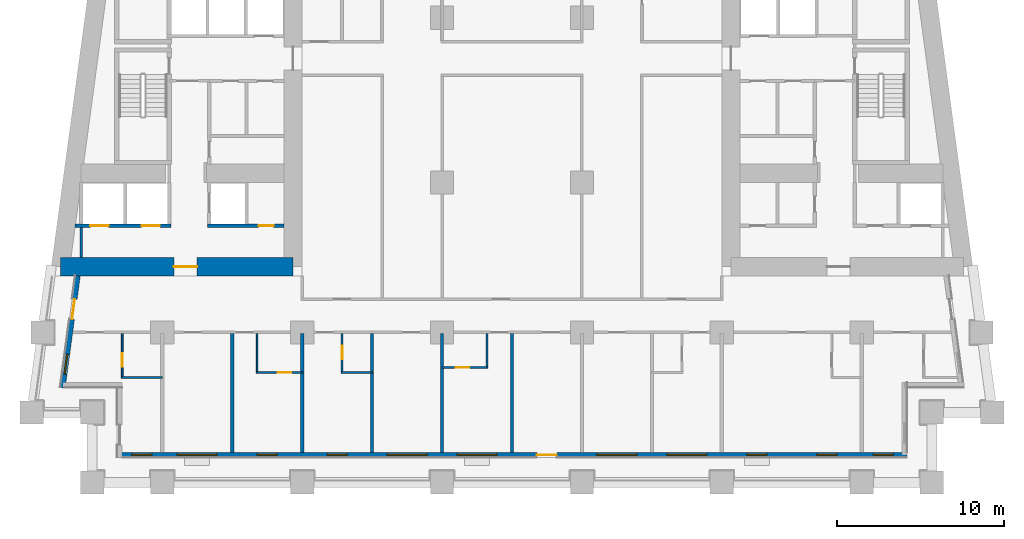
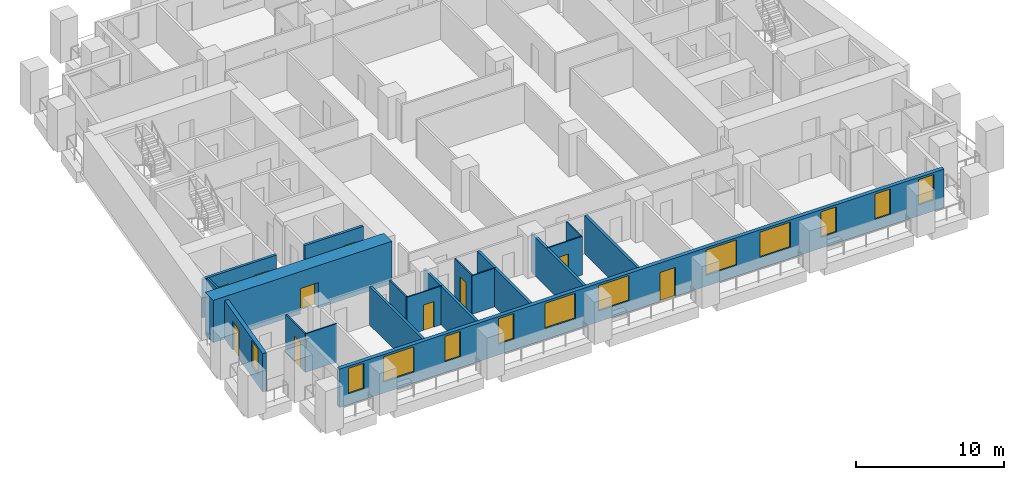
# One storey, part 2 of 12: 19 walls, 12 windows, 10 doors, 22 openings.
"""IFC4 building model written with IfcOpenShell, lengths in metres."""

from ifc_helpers import new_model, si_unit, direction, frame, frame_2d, origin, place, context, subcontext, project, spatial, rectangle, extrude, material, layer, layer_set, type_object, element, fill, save


model = new_model("IFC4")

# Units and contexts
model_context = context("Model", 3, precision=1e-05, world=origin(), true_north=direction((0.0, 1.0)))
body_context = subcontext(model_context, "Body", "Model", "MODEL_VIEW")
ifc_project = project(units=[si_unit("LENGTHUNIT", "METRE"), si_unit("AREAUNIT", "SQUARE_METRE"), si_unit("VOLUMEUNIT", "CUBIC_METRE"), si_unit("PLANEANGLEUNIT", "RADIAN"), si_unit("MASSUNIT", "GRAM", prefix="KILO")], contexts=[model_context])

# Site, building, storey
site_placement = place(None, origin())
site = spatial("IfcSite", under=ifc_project, at=site_placement, CompositionType="ELEMENT")
building_placement = place(site_placement, origin())
building = spatial("IfcBuilding", under=site, at=building_placement, Name="Candeia Pilgrim Tower and Theatre", CompositionType="ELEMENT")
storey_placement = place(building_placement, frame((0.0, 0.0, 53.0)))
storey = spatial("IfcBuildingStorey", under=building, at=storey_placement, Name="L10", CompositionType="ELEMENT", Elevation=53.0)

# Wall, opening, door
ifc_material_1 = material(Name="Concrete C80/95", Category="concrete")
ifc_layer_1 = layer(ifc_material_1, 1.10009765625)
ifc_layer_set_1 = layer_set([ifc_layer_1], Name="Core wall 1100 C80/95")
wall_type_1 = type_object("IfcWallType", Name="Core wall 1100 C80/95", PredefinedType="SHEAR", material=ifc_layer_set_1)
wall_1_placement = place(storey_placement, frame((100.25, 110.949951171875, 0.0), z_axis=(0.0, 0.0, 1.0), x_axis=(-1.0, 0.0, 0.0)))
wall_1 = element("IfcWall", 1, at=wall_1_placement, inside=storey, type_object=wall_type_1, Name="Core wall W3", PredefinedType="SHEAR", context=body_context, shape_type="SweptSolid", body=[
    extrude(rectangle(XDim=13.95166015625, YDim=1.10009765625, at=frame_2d((6.975830078125, 0.0))), origin(), (0.0, 0.0, 1.0), 3.5),
])
opening_1_placement = place(wall_1_placement, frame((5.74755859375, 0.0, 0.0)))
opening_1 = element("IfcOpeningElement", 2, at=opening_1_placement, cuts=wall_1, Name="Opening L10-D052", PredefinedType="OPENING", context=body_context, shape_type="SweptSolid", body=[
    extrude(rectangle(XDim=1.39990234375, YDim=2.10009765625, at=frame_2d((0.699951171875, 1.050048828125))), frame((0.0, 0.56005859375, 0.0), z_axis=(0.0, -1.0, 0.0), x_axis=(1.0, 0.0, 0.0)), (0.0, 0.0, 1.0), 1.1201171875),
])
ifc_material_2 = material(Name="Steel fire door set", Category="steel")
door_type_1 = type_object("IfcDoorType", Name="D-1400-FD60", OperationType="NOTDEFINED", PredefinedType="DOOR", material=ifc_material_2)
door_1_placement = place(opening_1_placement, origin())
door_1 = element("IfcDoor", 3, at=door_1_placement, inside=storey, type_object=door_type_1, Name="Door L10-D052", OperationType="SINGLE_SWING_RIGHT", OverallHeight=2.10009765625, OverallWidth=1.39990234375, PredefinedType="DOOR", context=body_context, shape_type="SweptSolid", body=[
    extrude(rectangle(XDim=1.39990234375, YDim=2.10009765625, at=frame_2d((0.699951171875, 1.050048828125))), frame((0.0, 0.02490234375, 0.0), z_axis=(0.0, -1.0, 0.0), x_axis=(1.0, 0.0, 0.0)), (0.0, 0.0, 1.0), 0.050048828125),
])
fill(opening_1, door_1)

# Wall, openings, door, windows
ifc_material_3 = material(Name="Ceramic block masonry", Category="masonry")
ifc_layer_2 = layer(ifc_material_3, 0.300048828125)
ifc_layer_set_2 = layer_set([ifc_layer_2], Name="EW1 glazing-line wall 300")
wall_type_2 = type_object("IfcWallType", Name="EW1 glazing-line wall 300", PredefinedType="SOLIDWALL", material=ifc_layer_set_2)
wall_2_placement = place(storey_placement, frame((89.85009765625, 99.64990234375, 0.0), z_axis=(0.0, 0.0, 1.0), x_axis=(1.0, 0.0, 0.0)))
wall_2 = element("IfcWall", 4, at=wall_2_placement, inside=storey, type_object=wall_type_2, Name="External wall L10-0.0", PredefinedType="SOLIDWALL", context=body_context, shape_type="SweptSolid", body=[
    extrude(rectangle(XDim=47.25, YDim=0.300048828125, at=frame_2d((23.625, 0.0))), origin(), (0.0, 0.0, 1.0), 3.179931640625),
])
opening_2_placement = place(wall_2_placement, frame((0.72509765625, 0.0, 0.89990234375)))
opening_2 = element("IfcOpeningElement", 5, at=opening_2_placement, cuts=wall_2, Name="Opening W-B", PredefinedType="OPENING", context=body_context, shape_type="SweptSolid", body=[
    extrude(rectangle(XDim=1.199951171875, YDim=2.10009765625, at=frame_2d((0.60009765625, 1.050048828125))), frame((0.0, 0.16015625, 0.0), z_axis=(0.0, -1.0, 0.0), x_axis=(1.0, 0.0, 0.0)), (0.0, 0.0, 1.0), 0.320068359375),
])
opening_3_placement = place(wall_2_placement, frame((3.449951171875, 0.0, 0.89990234375)))
opening_3 = element("IfcOpeningElement", 6, at=opening_3_placement, cuts=wall_2, Name="Opening W-A", PredefinedType="OPENING", context=body_context, shape_type="SweptSolid", body=[
    extrude(rectangle(XDim=2.39990234375, YDim=2.10009765625, at=frame_2d((1.199951171875, 1.050048828125))), frame((0.0, 0.16015625, 0.0), z_axis=(0.0, -1.0, 0.0), x_axis=(1.0, 0.0, 0.0)), (0.0, 0.0, 1.0), 0.320068359375),
])
opening_4_placement = place(wall_2_placement, frame((8.25, 0.0, 0.89990234375)))
opening_4 = element("IfcOpeningElement", 7, at=opening_4_placement, cuts=wall_2, Name="Opening W-B", PredefinedType="OPENING", context=body_context, shape_type="SweptSolid", body=[
    extrude(rectangle(XDim=1.199951171875, YDim=2.10009765625, at=frame_2d((0.60009765625, 1.050048828125))), frame((0.0, 0.16015625, 0.0), z_axis=(0.0, -1.0, 0.0), x_axis=(1.0, 0.0, 0.0)), (0.0, 0.0, 1.0), 0.320068359375),
])
opening_5_placement = place(wall_2_placement, frame((12.449951171875, 0.0, 0.89990234375)))
opening_5 = element("IfcOpeningElement", 8, at=opening_5_placement, cuts=wall_2, Name="Opening W-B", PredefinedType="OPENING", context=body_context, shape_type="SweptSolid", body=[
    extrude(rectangle(XDim=1.199951171875, YDim=2.10009765625, at=frame_2d((0.60009765625, 1.050048828125))), frame((0.0, 0.16015625, 0.0), z_axis=(0.0, -1.0, 0.0), x_axis=(1.0, 0.0, 0.0)), (0.0, 0.0, 1.0), 0.320068359375),
])
opening_6_placement = place(wall_2_placement, frame((16.050048828125, 0.0, 0.89990234375)))
opening_6 = element("IfcOpeningElement", 9, at=opening_6_placement, cuts=wall_2, Name="Opening W-A", PredefinedType="OPENING", context=body_context, shape_type="SweptSolid", body=[
    extrude(rectangle(XDim=2.39990234375, YDim=2.10009765625, at=frame_2d((1.199951171875, 1.050048828125))), frame((0.0, 0.16015625, 0.0), z_axis=(0.0, -1.0, 0.0), x_axis=(1.0, 0.0, 0.0)), (0.0, 0.0, 1.0), 0.320068359375),
])
opening_7_placement = place(wall_2_placement, frame((20.25, 0.0, 0.89990234375)))
opening_7 = element("IfcOpeningElement", 10, at=opening_7_placement, cuts=wall_2, Name="Opening W-A", PredefinedType="OPENING", context=body_context, shape_type="SweptSolid", body=[
    extrude(rectangle(XDim=2.39990234375, YDim=2.10009765625, at=frame_2d((1.199951171875, 1.050048828125))), frame((0.0, 0.16015625, 0.0), z_axis=(0.0, -1.0, 0.0), x_axis=(1.0, 0.0, 0.0)), (0.0, 0.0, 1.0), 0.320068359375),
])
opening_8_placement = place(wall_2_placement, frame((25.050048828125, 0.0, 0.0)))
opening_8 = element("IfcOpeningElement", 11, at=opening_8_placement, cuts=wall_2, Name="Opening L10-ED120", PredefinedType="OPENING", context=body_context, shape_type="SweptSolid", body=[
    extrude(rectangle(XDim=1.199951171875, YDim=2.39990234375, at=frame_2d((0.60009765625, 1.199951171875))), frame((0.0, 0.16015625, 0.0), z_axis=(0.0, -1.0, 0.0), x_axis=(1.0, 0.0, 0.0)), (0.0, 0.0, 1.0), 0.320068359375),
])
opening_9_placement = place(wall_2_placement, frame((28.64990234375, 0.0, 0.89990234375)))
opening_9 = element("IfcOpeningElement", 12, at=opening_9_placement, cuts=wall_2, Name="Opening W-A", PredefinedType="OPENING", context=body_context, shape_type="SweptSolid", body=[
    extrude(rectangle(XDim=2.39990234375, YDim=2.10009765625, at=frame_2d((1.199951171875, 1.050048828125))), frame((0.0, 0.16015625, 0.0), z_axis=(0.0, -1.0, 0.0), x_axis=(1.0, 0.0, 0.0)), (0.0, 0.0, 1.0), 0.320068359375),
])
opening_10_placement = place(wall_2_placement, frame((32.85009765625, 0.0, 0.89990234375)))
opening_10 = element("IfcOpeningElement", 13, at=opening_10_placement, cuts=wall_2, Name="Opening W-A", PredefinedType="OPENING", context=body_context, shape_type="SweptSolid", body=[
    extrude(rectangle(XDim=2.39990234375, YDim=2.10009765625, at=frame_2d((1.199951171875, 1.050048828125))), frame((0.0, 0.16015625, 0.0), z_axis=(0.0, -1.0, 0.0), x_axis=(1.0, 0.0, 0.0)), (0.0, 0.0, 1.0), 0.320068359375),
])
opening_11_placement = place(wall_2_placement, frame((37.64990234375, 0.0, 0.89990234375)))
opening_11 = element("IfcOpeningElement", 14, at=opening_11_placement, cuts=wall_2, Name="Opening W-B", PredefinedType="OPENING", context=body_context, shape_type="SweptSolid", body=[
    extrude(rectangle(XDim=1.199951171875, YDim=2.10009765625, at=frame_2d((0.60009765625, 1.050048828125))), frame((0.0, 0.16015625, 0.0), z_axis=(0.0, -1.0, 0.0), x_axis=(1.0, 0.0, 0.0)), (0.0, 0.0, 1.0), 0.320068359375),
])
opening_12_placement = place(wall_2_placement, frame((41.85009765625, 0.0, 0.89990234375)))
opening_12 = element("IfcOpeningElement", 15, at=opening_12_placement, cuts=wall_2, Name="Opening W-B", PredefinedType="OPENING", context=body_context, shape_type="SweptSolid", body=[
    extrude(rectangle(XDim=1.199951171875, YDim=2.10009765625, at=frame_2d((0.60009765625, 1.050048828125))), frame((0.0, 0.16015625, 0.0), z_axis=(0.0, -1.0, 0.0), x_axis=(1.0, 0.0, 0.0)), (0.0, 0.0, 1.0), 0.320068359375),
])
opening_13_placement = place(wall_2_placement, frame((45.25, 0.0, 0.89990234375)))
opening_13 = element("IfcOpeningElement", 16, at=opening_13_placement, cuts=wall_2, Name="Opening W-B", PredefinedType="OPENING", context=body_context, shape_type="SweptSolid", body=[
    extrude(rectangle(XDim=1.199951171875, YDim=2.10009765625, at=frame_2d((0.60009765625, 1.050048828125))), frame((0.0, 0.16015625, 0.0), z_axis=(0.0, -1.0, 0.0), x_axis=(1.0, 0.0, 0.0)), (0.0, 0.0, 1.0), 0.320068359375),
])
ifc_material_4 = material(Name="Aluminium framed glazed door", Category="aluminium")
door_type_2 = type_object("IfcDoorType", Name="Loggia door 1200x2400", OperationType="DOUBLE_DOOR_SINGLE_SWING", PredefinedType="DOOR", material=ifc_material_4)
door_2_placement = place(opening_8_placement, origin())
door_2 = element("IfcDoor", 17, at=door_2_placement, inside=storey, type_object=door_type_2, Name="Loggia door L10-ED120", OperationType="DOUBLE_DOOR_SINGLE_SWING", OverallHeight=2.39990234375, OverallWidth=1.199951171875, PredefinedType="DOOR", context=body_context, shape_type="SweptSolid", body=[
    extrude(rectangle(XDim=1.199951171875, YDim=2.39990234375, at=frame_2d((0.60009765625, 1.199951171875))), frame((0.0, 0.02490234375, 0.0), z_axis=(0.0, -1.0, 0.0), x_axis=(1.0, 0.0, 0.0)), (0.0, 0.0, 1.0), 0.050048828125),
])
fill(opening_8, door_2)
ifc_material_5 = material(Name="Aluminium framed double glazing", Category="aluminium")
window_type_1 = type_object("IfcWindowType", Name="W-A window 2400x2100", PartitioningType="DOUBLE_PANEL_VERTICAL", PredefinedType="WINDOW", material=ifc_material_5)
window_1_placement = place(opening_3_placement, origin())
window_1 = element("IfcWindow", 18, at=window_1_placement, inside=storey, type_object=window_type_1, Name="Window W-A L10", OverallHeight=2.10009765625, OverallWidth=2.39990234375, PartitioningType="SINGLE_PANEL", PredefinedType="WINDOW", context=body_context, shape_type="SweptSolid", body=[
    extrude(rectangle(XDim=2.39990234375, YDim=2.10009765625, at=frame_2d((1.199951171875, 1.050048828125))), frame((0.0, 0.030029296875, 0.0), z_axis=(0.0, -1.0, 0.0), x_axis=(1.0, 0.0, 0.0)), (0.0, 0.0, 1.0), 0.06005859375),
])
fill(opening_3, window_1)
window_2_placement = place(opening_6_placement, origin())
window_2 = element("IfcWindow", 19, at=window_2_placement, inside=storey, type_object=window_type_1, Name="Window W-A L10", OverallHeight=2.10009765625, OverallWidth=2.39990234375, PartitioningType="SINGLE_PANEL", PredefinedType="WINDOW", context=body_context, shape_type="SweptSolid", body=[
    extrude(rectangle(XDim=2.39990234375, YDim=2.10009765625, at=frame_2d((1.199951171875, 1.050048828125))), frame((0.0, 0.030029296875, 0.0), z_axis=(0.0, -1.0, 0.0), x_axis=(1.0, 0.0, 0.0)), (0.0, 0.0, 1.0), 0.06005859375),
])
fill(opening_6, window_2)
window_3_placement = place(opening_7_placement, origin())
window_3 = element("IfcWindow", 20, at=window_3_placement, inside=storey, type_object=window_type_1, Name="Window W-A L10", OverallHeight=2.10009765625, OverallWidth=2.39990234375, PartitioningType="SINGLE_PANEL", PredefinedType="WINDOW", context=body_context, shape_type="SweptSolid", body=[
    extrude(rectangle(XDim=2.39990234375, YDim=2.10009765625, at=frame_2d((1.199951171875, 1.050048828125))), frame((0.0, 0.030029296875, 0.0), z_axis=(0.0, -1.0, 0.0), x_axis=(1.0, 0.0, 0.0)), (0.0, 0.0, 1.0), 0.06005859375),
])
fill(opening_7, window_3)
window_4_placement = place(opening_9_placement, origin())
window_4 = element("IfcWindow", 21, at=window_4_placement, inside=storey, type_object=window_type_1, Name="Window W-A L10", OverallHeight=2.10009765625, OverallWidth=2.39990234375, PartitioningType="SINGLE_PANEL", PredefinedType="WINDOW", context=body_context, shape_type="SweptSolid", body=[
    extrude(rectangle(XDim=2.39990234375, YDim=2.10009765625, at=frame_2d((1.199951171875, 1.050048828125))), frame((0.0, 0.030029296875, 0.0), z_axis=(0.0, -1.0, 0.0), x_axis=(1.0, 0.0, 0.0)), (0.0, 0.0, 1.0), 0.06005859375),
])
fill(opening_9, window_4)
window_5_placement = place(opening_10_placement, origin())
window_5 = element("IfcWindow", 22, at=window_5_placement, inside=storey, type_object=window_type_1, Name="Window W-A L10", OverallHeight=2.10009765625, OverallWidth=2.39990234375, PartitioningType="SINGLE_PANEL", PredefinedType="WINDOW", context=body_context, shape_type="SweptSolid", body=[
    extrude(rectangle(XDim=2.39990234375, YDim=2.10009765625, at=frame_2d((1.199951171875, 1.050048828125))), frame((0.0, 0.030029296875, 0.0), z_axis=(0.0, -1.0, 0.0), x_axis=(1.0, 0.0, 0.0)), (0.0, 0.0, 1.0), 0.06005859375),
])
fill(opening_10, window_5)
window_type_2 = type_object("IfcWindowType", Name="W-B window 1200x2100", PartitioningType="SINGLE_PANEL", PredefinedType="WINDOW", material=ifc_material_5)
window_6_placement = place(opening_2_placement, origin())
window_6 = element("IfcWindow", 23, at=window_6_placement, inside=storey, type_object=window_type_2, Name="Window W-B L10", OverallHeight=2.10009765625, OverallWidth=1.199951171875, PartitioningType="SINGLE_PANEL", PredefinedType="WINDOW", context=body_context, shape_type="SweptSolid", body=[
    extrude(rectangle(XDim=1.199951171875, YDim=2.10009765625, at=frame_2d((0.60009765625, 1.050048828125))), frame((0.0, 0.030029296875, 0.0), z_axis=(0.0, -1.0, 0.0), x_axis=(1.0, 0.0, 0.0)), (0.0, 0.0, 1.0), 0.06005859375),
])
fill(opening_2, window_6)
window_7_placement = place(opening_4_placement, origin())
window_7 = element("IfcWindow", 24, at=window_7_placement, inside=storey, type_object=window_type_2, Name="Window W-B L10", OverallHeight=2.10009765625, OverallWidth=1.199951171875, PartitioningType="SINGLE_PANEL", PredefinedType="WINDOW", context=body_context, shape_type="SweptSolid", body=[
    extrude(rectangle(XDim=1.199951171875, YDim=2.10009765625, at=frame_2d((0.60009765625, 1.050048828125))), frame((0.0, 0.030029296875, 0.0), z_axis=(0.0, -1.0, 0.0), x_axis=(1.0, 0.0, 0.0)), (0.0, 0.0, 1.0), 0.06005859375),
])
fill(opening_4, window_7)
window_8_placement = place(opening_5_placement, origin())
window_8 = element("IfcWindow", 25, at=window_8_placement, inside=storey, type_object=window_type_2, Name="Window W-B L10", OverallHeight=2.10009765625, OverallWidth=1.199951171875, PartitioningType="SINGLE_PANEL", PredefinedType="WINDOW", context=body_context, shape_type="SweptSolid", body=[
    extrude(rectangle(XDim=1.199951171875, YDim=2.10009765625, at=frame_2d((0.60009765625, 1.050048828125))), frame((0.0, 0.030029296875, 0.0), z_axis=(0.0, -1.0, 0.0), x_axis=(1.0, 0.0, 0.0)), (0.0, 0.0, 1.0), 0.06005859375),
])
fill(opening_5, window_8)
window_9_placement = place(opening_11_placement, origin())
window_9 = element("IfcWindow", 26, at=window_9_placement, inside=storey, type_object=window_type_2, Name="Window W-B L10", OverallHeight=2.10009765625, OverallWidth=1.199951171875, PartitioningType="SINGLE_PANEL", PredefinedType="WINDOW", context=body_context, shape_type="SweptSolid", body=[
    extrude(rectangle(XDim=1.199951171875, YDim=2.10009765625, at=frame_2d((0.60009765625, 1.050048828125))), frame((0.0, 0.030029296875, 0.0), z_axis=(0.0, -1.0, 0.0), x_axis=(1.0, 0.0, 0.0)), (0.0, 0.0, 1.0), 0.06005859375),
])
fill(opening_11, window_9)
window_10_placement = place(opening_12_placement, origin())
window_10 = element("IfcWindow", 27, at=window_10_placement, inside=storey, type_object=window_type_2, Name="Window W-B L10", OverallHeight=2.10009765625, OverallWidth=1.199951171875, PartitioningType="SINGLE_PANEL", PredefinedType="WINDOW", context=body_context, shape_type="SweptSolid", body=[
    extrude(rectangle(XDim=1.199951171875, YDim=2.10009765625, at=frame_2d((0.60009765625, 1.050048828125))), frame((0.0, 0.030029296875, 0.0), z_axis=(0.0, -1.0, 0.0), x_axis=(1.0, 0.0, 0.0)), (0.0, 0.0, 1.0), 0.06005859375),
])
fill(opening_12, window_10)
window_11_placement = place(opening_13_placement, origin())
window_11 = element("IfcWindow", 28, at=window_11_placement, inside=storey, type_object=window_type_2, Name="Window W-B L10", OverallHeight=2.10009765625, OverallWidth=1.199951171875, PartitioningType="SINGLE_PANEL", PredefinedType="WINDOW", context=body_context, shape_type="SweptSolid", body=[
    extrude(rectangle(XDim=1.199951171875, YDim=2.10009765625, at=frame_2d((0.60009765625, 1.050048828125))), frame((0.0, 0.030029296875, 0.0), z_axis=(0.0, -1.0, 0.0), x_axis=(1.0, 0.0, 0.0)), (0.0, 0.0, 1.0), 0.06005859375),
])
fill(opening_13, window_11)

# Wall, openings, door, window
wall_3_placement = place(storey_placement, frame((87.334228515625, 110.39990234375, 0.0), z_axis=(0.0, 0.0, 1.0), x_axis=(-0.133437175554, -0.991057273915, 0.0)))
wall_3 = element("IfcWall", 29, at=wall_3_placement, inside=storey, type_object=wall_type_2, Name="External wall L10-9.1", PredefinedType="SOLIDWALL", context=body_context, shape_type="SweptSolid", body=[
    extrude(rectangle(XDim=6.780517578125, YDim=0.300048828125, at=frame_2d((3.39013671875, 0.0))), origin(), (0.0, 0.0, 1.0), 3.179931640625),
])
opening_14_placement = place(wall_3_placement, frame((1.41796875, 0.0, 0.0)))
opening_14 = element("IfcOpeningElement", 30, at=opening_14_placement, cuts=wall_3, Name="Opening L10-ED127", PredefinedType="OPENING", context=body_context, shape_type="SweptSolid", body=[
    extrude(rectangle(XDim=1.199951171875, YDim=2.39990234375, at=frame_2d((0.60009765625, 1.199951171875))), frame((0.0, 0.16015625, 0.0), z_axis=(0.0, -1.0, 0.0), x_axis=(1.0, 0.0, 0.0)), (0.0, 0.0, 1.0), 0.320068359375),
])
opening_15_placement = place(wall_3_placement, frame((4.75830078125, 0.0, 0.89990234375)))
opening_15 = element("IfcOpeningElement", 31, at=opening_15_placement, cuts=wall_3, Name="Opening W-B", PredefinedType="OPENING", context=body_context, shape_type="SweptSolid", body=[
    extrude(rectangle(XDim=1.199951171875, YDim=2.10009765625, at=frame_2d((0.60009765625, 1.050048828125))), frame((0.0, 0.16015625, 0.0), z_axis=(0.0, -1.0, 0.0), x_axis=(1.0, 0.0, 0.0)), (0.0, 0.0, 1.0), 0.320068359375),
])
door_3_placement = place(opening_14_placement, origin())
door_3 = element("IfcDoor", 32, at=door_3_placement, inside=storey, type_object=door_type_2, Name="Loggia door L10-ED127", OperationType="DOUBLE_DOOR_SINGLE_SWING", OverallHeight=2.39990234375, OverallWidth=1.199951171875, PredefinedType="DOOR", context=body_context, shape_type="SweptSolid", body=[
    extrude(rectangle(XDim=1.199951171875, YDim=2.39990234375, at=frame_2d((0.60009765625, 1.199951171875))), frame((0.0, 0.02490234375, 0.0), z_axis=(0.0, -1.0, 0.0), x_axis=(1.0, 0.0, 0.0)), (0.0, 0.0, 1.0), 0.050048828125),
])
fill(opening_14, door_3)
window_12_placement = place(opening_15_placement, origin())
window_12 = element("IfcWindow", 33, at=window_12_placement, inside=storey, type_object=window_type_2, Name="Window W-B L10", OverallHeight=2.10009765625, OverallWidth=1.199951171875, PartitioningType="SINGLE_PANEL", PredefinedType="WINDOW", context=body_context, shape_type="SweptSolid", body=[
    extrude(rectangle(XDim=1.199951171875, YDim=2.10009765625, at=frame_2d((0.60009765625, 1.050048828125))), frame((0.0, 0.030029296875, 0.0), z_axis=(0.0, -1.0, 0.0), x_axis=(1.0, 0.0, 0.0)), (0.0, 0.0, 1.0), 0.06005859375),
])
fill(opening_15, window_12)

# Wall
ifc_material_6 = material(Name="Gypsum board partition on steel studs", Category="steel")
ifc_layer_3 = layer(ifc_material_6, 0.10009765625)
ifc_layer_set_3 = layer_set([ifc_layer_3], Name="PW-100 room partition")
wall_type_3 = type_object("IfcWallType", Name="PW-100 room partition", PredefinedType="PARTITIONING", material=ifc_layer_set_3)
wall_4_placement = place(storey_placement, frame((89.949951171875, 104.300048828125, 0.0), z_axis=(0.0, 0.0, 1.0), x_axis=(1.0, 0.0, 0.0)))
element("IfcWall", 34, at=wall_4_placement, inside=storey, type_object=wall_type_3, Name="Room partition L10-001", PredefinedType="PARTITIONING", context=body_context, shape_type="SweptSolid", body=[
    extrude(rectangle(XDim=2.449951171875, YDim=0.10009765625, at=frame_2d((1.22509765625, 0.0))), origin(), (0.0, 0.0, 1.0), 3.179931640625),
])

# Wall, opening, door
wall_5_placement = place(storey_placement, frame((98.050048828125, 104.60009765625, 0.0), z_axis=(0.0, 0.0, 1.0), x_axis=(1.0, 0.0, 0.0)))
wall_5 = element("IfcWall", 35, at=wall_5_placement, inside=storey, type_object=wall_type_3, Name="Room partition L10-004", PredefinedType="PARTITIONING", context=body_context, shape_type="SweptSolid", body=[
    extrude(rectangle(XDim=2.75, YDim=0.10009765625, at=frame_2d((1.375, 0.0))), origin(), (0.0, 0.0, 1.0), 3.179931640625),
])
opening_16_placement = place(wall_5_placement, frame((1.300048828125, 0.0, 0.0)))
opening_16 = element("IfcOpeningElement", 36, at=opening_16_placement, cuts=wall_5, Name="Opening L10-D021", PredefinedType="OPENING", context=body_context, shape_type="SweptSolid", body=[
    extrude(rectangle(XDim=0.800048828125, YDim=2.10009765625, at=frame_2d((0.39990234375, 1.050048828125))), frame((0.0, 0.06005859375, 0.0), z_axis=(0.0, -1.0, 0.0), x_axis=(1.0, 0.0, 0.0)), (0.0, 0.0, 1.0), 0.1201171875),
])
ifc_material_7 = material(Name="Timber door leaf", Category="wood")
door_type_3 = type_object("IfcDoorType", Name="D-800", OperationType="NOTDEFINED", PredefinedType="DOOR", material=ifc_material_7)
door_4_placement = place(opening_16_placement, origin())
door_4 = element("IfcDoor", 37, at=door_4_placement, inside=storey, type_object=door_type_3, Name="Door L10-D021", OperationType="SINGLE_SWING_LEFT", OverallHeight=2.10009765625, OverallWidth=0.800048828125, PredefinedType="DOOR", context=body_context, shape_type="SweptSolid", body=[
    extrude(rectangle(XDim=0.800048828125, YDim=2.10009765625, at=frame_2d((0.39990234375, 1.050048828125))), frame((0.0, 0.02490234375, 0.0), z_axis=(0.0, -1.0, 0.0), x_axis=(1.0, 0.0, 0.0)), (0.0, 0.0, 1.0), 0.050048828125),
])
fill(opening_16, door_4)

# Wall
wall_6_placement = place(storey_placement, frame((103.14990234375, 104.60009765625, 0.0), z_axis=(0.0, 0.0, 1.0), x_axis=(1.0, 0.0, 0.0)))
element("IfcWall", 38, at=wall_6_placement, inside=storey, type_object=wall_type_3, Name="Room partition L10-005", PredefinedType="PARTITIONING", context=body_context, shape_type="SweptSolid", body=[
    extrude(rectangle(XDim=1.85009765625, YDim=0.10009765625, at=frame_2d((0.925048828125, 0.0))), origin(), (0.0, 0.0, 1.0), 3.179931640625),
])

# Wall, opening, door
wall_7_placement = place(storey_placement, frame((109.199951171875, 104.89990234375, 0.0), z_axis=(0.0, 0.0, 1.0), x_axis=(1.0, 0.0, 0.0)))
wall_7 = element("IfcWall", 39, at=wall_7_placement, inside=storey, type_object=wall_type_3, Name="Room partition L10-007", PredefinedType="PARTITIONING", context=body_context, shape_type="SweptSolid", body=[
    extrude(rectangle(XDim=2.75, YDim=0.10009765625, at=frame_2d((1.375, 0.0))), origin(), (0.0, 0.0, 1.0), 3.179931640625),
])
opening_17_placement = place(wall_7_placement, frame((0.830078125, 0.0, 0.0)))
opening_17 = element("IfcOpeningElement", 40, at=opening_17_placement, cuts=wall_7, Name="Opening L10-D026", PredefinedType="OPENING", context=body_context, shape_type="SweptSolid", body=[
    extrude(rectangle(XDim=0.800048828125, YDim=2.10009765625, at=frame_2d((0.39990234375, 1.050048828125))), frame((0.0, 0.06005859375, 0.0), z_axis=(0.0, -1.0, 0.0), x_axis=(1.0, 0.0, 0.0)), (0.0, 0.0, 1.0), 0.1201171875),
])
door_5_placement = place(opening_17_placement, origin())
door_5 = element("IfcDoor", 41, at=door_5_placement, inside=storey, type_object=door_type_3, Name="Door L10-D026", OperationType="SINGLE_SWING_RIGHT", OverallHeight=2.10009765625, OverallWidth=0.800048828125, PredefinedType="DOOR", context=body_context, shape_type="SweptSolid", body=[
    extrude(rectangle(XDim=0.800048828125, YDim=2.10009765625, at=frame_2d((0.39990234375, 1.050048828125))), frame((0.0, 0.02490234375, 0.0), z_axis=(0.0, -1.0, 0.0), x_axis=(1.0, 0.0, 0.0)), (0.0, 0.0, 1.0), 0.050048828125),
])
fill(opening_17, door_5)

wall_8_placement = place(storey_placement, frame((90.0, 104.35009765625, 0.0), z_axis=(0.0, 0.0, 1.0), x_axis=(0.0, 1.0, 0.0)))
wall_8 = element("IfcWall", 42, at=wall_8_placement, inside=storey, type_object=wall_type_3, Name="Room partition L10-050", PredefinedType="PARTITIONING", context=body_context, shape_type="SweptSolid", body=[
    extrude(rectangle(XDim=2.574951171875, YDim=0.10009765625, at=frame_2d((1.28759765625, 0.0))), origin(), (0.0, 0.0, 1.0), 3.179931640625),
])
opening_18_placement = place(wall_8_placement, frame((0.60009765625, 0.0, 0.0)))
opening_18 = element("IfcOpeningElement", 43, at=opening_18_placement, cuts=wall_8, Name="Opening L10-D018", PredefinedType="OPENING", context=body_context, shape_type="SweptSolid", body=[
    extrude(rectangle(XDim=0.800048828125, YDim=2.10009765625, at=frame_2d((0.39990234375, 1.050048828125))), frame((0.0, 0.06005859375, 0.0), z_axis=(0.0, -1.0, 0.0), x_axis=(1.0, 0.0, 0.0)), (0.0, 0.0, 1.0), 0.1201171875),
])
door_6_placement = place(opening_18_placement, origin())
door_6 = element("IfcDoor", 44, at=door_6_placement, inside=storey, type_object=door_type_3, Name="Door L10-D018", OperationType="SINGLE_SWING_RIGHT", OverallHeight=2.10009765625, OverallWidth=0.800048828125, PredefinedType="DOOR", context=body_context, shape_type="SweptSolid", body=[
    extrude(rectangle(XDim=0.800048828125, YDim=2.10009765625, at=frame_2d((0.39990234375, 1.050048828125))), frame((0.0, 0.02490234375, 0.0), z_axis=(0.0, -1.0, 0.0), x_axis=(1.0, 0.0, 0.0)), (0.0, 0.0, 1.0), 0.050048828125),
])
fill(opening_18, door_6)

# Wall
wall_9_placement = place(storey_placement, frame((98.10009765625, 104.64990234375, 0.0), z_axis=(0.0, 0.0, 1.0), x_axis=(0.0, 1.0, 0.0)))
element("IfcWall", 45, at=wall_9_placement, inside=storey, type_object=wall_type_3, Name="Room partition L10-068", PredefinedType="PARTITIONING", context=body_context, shape_type="SweptSolid", body=[
    extrude(rectangle(XDim=2.275146484375, YDim=0.10009765625, at=frame_2d((1.1376953125, 0.0))), origin(), (0.0, 0.0, 1.0), 3.179931640625),
])

# Wall, opening, door
wall_10_placement = place(storey_placement, frame((103.199951171875, 104.64990234375, 0.0), z_axis=(0.0, 0.0, 1.0), x_axis=(0.0, 1.0, 0.0)))
wall_10 = element("IfcWall", 46, at=wall_10_placement, inside=storey, type_object=wall_type_3, Name="Room partition L10-073", PredefinedType="PARTITIONING", context=body_context, shape_type="SweptSolid", body=[
    extrude(rectangle(XDim=2.275146484375, YDim=0.10009765625, at=frame_2d((1.1376953125, 0.0))), origin(), (0.0, 0.0, 1.0), 3.179931640625),
])
opening_19_placement = place(wall_10_placement, frame((0.75, 0.0, 0.0)))
opening_19 = element("IfcOpeningElement", 47, at=opening_19_placement, cuts=wall_10, Name="Opening L10-D023", PredefinedType="OPENING", context=body_context, shape_type="SweptSolid", body=[
    extrude(rectangle(XDim=0.800048828125, YDim=2.10009765625, at=frame_2d((0.39990234375, 1.050048828125))), frame((0.0, 0.06005859375, 0.0), z_axis=(0.0, -1.0, 0.0), x_axis=(1.0, 0.0, 0.0)), (0.0, 0.0, 1.0), 0.1201171875),
])
door_7_placement = place(opening_19_placement, origin())
door_7 = element("IfcDoor", 48, at=door_7_placement, inside=storey, type_object=door_type_3, Name="Door L10-D023", OperationType="SINGLE_SWING_LEFT", OverallHeight=2.10009765625, OverallWidth=0.800048828125, PredefinedType="DOOR", context=body_context, shape_type="SweptSolid", body=[
    extrude(rectangle(XDim=0.800048828125, YDim=2.10009765625, at=frame_2d((0.39990234375, 1.050048828125))), frame((0.0, 0.02490234375, 0.0), z_axis=(0.0, -1.0, 0.0), x_axis=(1.0, 0.0, 0.0)), (0.0, 0.0, 1.0), 0.050048828125),
])
fill(opening_19, door_7)

# Walls
wall_11_placement = place(storey_placement, frame((111.89990234375, 104.949951171875, 0.0), z_axis=(0.0, 0.0, 1.0), x_axis=(0.0, 1.0, 0.0)))
element("IfcWall", 49, at=wall_11_placement, inside=storey, type_object=wall_type_3, Name="Room partition L10-083", PredefinedType="PARTITIONING", context=body_context, shape_type="SweptSolid", body=[
    extrude(rectangle(XDim=1.97509765625, YDim=0.10009765625, at=frame_2d((0.987548828125, 0.0))), origin(), (0.0, 0.0, 1.0), 3.179931640625),
])
ifc_layer_4 = layer(ifc_material_6, 0.14990234375)
ifc_layer_set_4 = layer_set([ifc_layer_4], Name="PW-150 lobby wall")
wall_type_4 = type_object("IfcWallType", Name="PW-150 lobby wall", PredefinedType="PARTITIONING", material=ifc_layer_set_4)
wall_12_placement = place(storey_placement, frame((87.530029296875, 111.5, 0.0), z_axis=(0.0, 0.0, 1.0), x_axis=(0.0, 1.0, 0.0)))
element("IfcWall", 50, at=wall_12_placement, inside=storey, type_object=wall_type_4, Name="Lobby wall L10-047", PredefinedType="PARTITIONING", context=body_context, shape_type="SweptSolid", body=[
    extrude(rectangle(XDim=1.800048828125, YDim=0.14990234375, at=frame_2d((0.89990234375, 0.0))), origin(), (0.0, 0.0, 1.0), 3.179931640625),
])
ifc_layer_5 = layer(ifc_material_6, 0.199951171875)
ifc_layer_set_5 = layer_set([ifc_layer_5], Name="PW-200 party wall")
wall_type_5 = type_object("IfcWallType", Name="PW-200 party wall", PredefinedType="PARTITIONING", material=ifc_layer_set_5)
for number, where, z_axis, x_axis, name in (
    (51, (96.60009765625, 99.7900390625, 0.0), (0.0, 0.0, 1.0), (0.0, 1.0, 0.0), "Party wall L10-063"),
    (52, (100.800048828125, 99.7900390625, 0.0), (0.0, 0.0, 1.0), (0.0, 1.0, 0.0), "Party wall L10-069"),
    (53, (105.0, 99.7900390625, 0.0), (0.0, 0.0, 1.0), (0.0, 1.0, 0.0), "Party wall L10-075"),
    (54, (109.199951171875, 99.7900390625, 0.0), (0.0, 0.0, 1.0), (0.0, 1.0, 0.0), "Party wall L10-079"),
    (55, (113.39990234375, 99.7900390625, 0.0), (0.0, 0.0, 1.0), (0.0, 1.0, 0.0), "Party wall L10-085"),
):
    element("IfcWall", number, at=place(storey_placement, frame(where, z_axis=z_axis, x_axis=x_axis)), inside=storey, type_object=wall_type_5, Name=name, PredefinedType="PARTITIONING", context=body_context, shape_type="SweptSolid", body=[
        extrude(rectangle(XDim=7.135009765625, YDim=0.199951171875, at=frame_2d((3.5673828125, 0.0))), origin(), (0.0, 0.0, 1.0), 3.179931640625),
    ])

# Wall, openings, doors
ifc_material_8 = material(Name="Concrete C40/50", Category="concrete")
ifc_layer_6 = layer(ifc_material_8, 0.199951171875)
ifc_layer_set_6 = layer_set([ifc_layer_6], Name="SW-200 shaft wall")
wall_type_6 = type_object("IfcWallType", Name="SW-200 shaft wall", PredefinedType="PARTITIONING", material=ifc_layer_set_6)
wall_13_placement = place(storey_placement, frame((87.153076171875, 113.39990234375, 0.0), z_axis=(0.0, 0.0, 1.0), x_axis=(1.0, 0.0, 0.0)))
wall_13 = element("IfcWall", 56, at=wall_13_placement, inside=storey, type_object=wall_type_6, Name="Shaft wall L10-010", PredefinedType="PARTITIONING", context=body_context, shape_type="SweptSolid", body=[
    extrude(rectangle(XDim=5.77392578125, YDim=0.199951171875, at=frame_2d((2.886962890625, 0.0))), origin(), (0.0, 0.0, 1.0), 3.179931640625),
])
opening_20_placement = place(wall_13_placement, frame((0.93896484375, 0.0, 0.0)))
opening_20 = element("IfcOpeningElement", 57, at=opening_20_placement, cuts=wall_13, Name="Opening L10-LD03", PredefinedType="OPENING", context=body_context, shape_type="SweptSolid", body=[
    extrude(rectangle(XDim=1.10009765625, YDim=2.10009765625, at=frame_2d((0.550048828125, 1.050048828125))), frame((0.0, 0.10986328125, 0.0), z_axis=(0.0, -1.0, 0.0), x_axis=(1.0, 0.0, 0.0)), (0.0, 0.0, 1.0), 0.219970703125),
])
opening_21_placement = place(wall_13_placement, frame((4.011962890625, 0.0, 0.0)))
opening_21 = element("IfcOpeningElement", 58, at=opening_21_placement, cuts=wall_13, Name="Opening L10-LD04", PredefinedType="OPENING", context=body_context, shape_type="SweptSolid", body=[
    extrude(rectangle(XDim=1.10009765625, YDim=2.10009765625, at=frame_2d((0.550048828125, 1.050048828125))), frame((0.0, 0.10986328125, 0.0), z_axis=(0.0, -1.0, 0.0), x_axis=(1.0, 0.0, 0.0)), (0.0, 0.0, 1.0), 0.219970703125),
])
ifc_material_9 = material(Name="Glazed aluminium landing door", Category="aluminium")
door_type_4 = type_object("IfcDoorType", Name="LD-1100-EI120", OperationType="SLIDING_TO_LEFT", PredefinedType="DOOR", material=ifc_material_9)
door_8_placement = place(opening_20_placement, origin())
door_8 = element("IfcDoor", 59, at=door_8_placement, inside=storey, type_object=door_type_4, Name="Landing door 03 L10", OperationType="SLIDING_TO_LEFT", OverallHeight=2.10009765625, OverallWidth=1.10009765625, PredefinedType="DOOR", context=body_context, shape_type="SweptSolid", body=[
    extrude(rectangle(XDim=1.10009765625, YDim=2.10009765625, at=frame_2d((0.550048828125, 1.050048828125))), frame((0.0, 0.02490234375, 0.0), z_axis=(0.0, -1.0, 0.0), x_axis=(1.0, 0.0, 0.0)), (0.0, 0.0, 1.0), 0.050048828125),
])
fill(opening_20, door_8)
door_9_placement = place(opening_21_placement, origin())
door_9 = element("IfcDoor", 60, at=door_9_placement, inside=storey, type_object=door_type_4, Name="Landing door 04 L10", OperationType="SLIDING_TO_LEFT", OverallHeight=2.10009765625, OverallWidth=1.10009765625, PredefinedType="DOOR", context=body_context, shape_type="SweptSolid", body=[
    extrude(rectangle(XDim=1.10009765625, YDim=2.10009765625, at=frame_2d((0.550048828125, 1.050048828125))), frame((0.0, 0.02490234375, 0.0), z_axis=(0.0, -1.0, 0.0), x_axis=(1.0, 0.0, 0.0)), (0.0, 0.0, 1.0), 0.050048828125),
])
fill(opening_21, door_9)

# Wall, opening, door
wall_14_placement = place(storey_placement, frame((95.126953125, 113.39990234375, 0.0), z_axis=(0.0, 0.0, 1.0), x_axis=(1.0, 0.0, 0.0)))
wall_14 = element("IfcWall", 61, at=wall_14_placement, inside=storey, type_object=wall_type_6, Name="Shaft wall L10-011", PredefinedType="PARTITIONING", context=body_context, shape_type="SweptSolid", body=[
    extrude(rectangle(XDim=4.572998046875, YDim=0.199951171875, at=frame_2d((2.28662109375, 0.0))), origin(), (0.0, 0.0, 1.0), 3.179931640625),
])
opening_22_placement = place(wall_14_placement, frame((3.068115234375, 0.0, 0.0)))
opening_22 = element("IfcOpeningElement", 62, at=opening_22_placement, cuts=wall_14, Name="Opening L10-D007", PredefinedType="OPENING", context=body_context, shape_type="SweptSolid", body=[
    extrude(rectangle(XDim=0.89990234375, YDim=2.10009765625, at=frame_2d((0.449951171875, 1.050048828125))), frame((0.0, 0.10986328125, 0.0), z_axis=(0.0, -1.0, 0.0), x_axis=(1.0, 0.0, 0.0)), (0.0, 0.0, 1.0), 0.219970703125),
])
door_type_5 = type_object("IfcDoorType", Name="D-900-FD60", OperationType="NOTDEFINED", PredefinedType="DOOR", material=ifc_material_2)
door_10_placement = place(opening_22_placement, origin())
door_10 = element("IfcDoor", 63, at=door_10_placement, inside=storey, type_object=door_type_5, Name="Door L10-D007", OperationType="SINGLE_SWING_RIGHT", OverallHeight=2.10009765625, OverallWidth=0.89990234375, PredefinedType="DOOR", context=body_context, shape_type="SweptSolid", body=[
    extrude(rectangle(XDim=0.89990234375, YDim=2.10009765625, at=frame_2d((0.449951171875, 1.050048828125))), frame((0.0, 0.02490234375, 0.0), z_axis=(0.0, -1.0, 0.0), x_axis=(1.0, 0.0, 0.0)), (0.0, 0.0, 1.0), 0.050048828125),
])
fill(opening_22, door_10)

save(model, "model.ifc")
